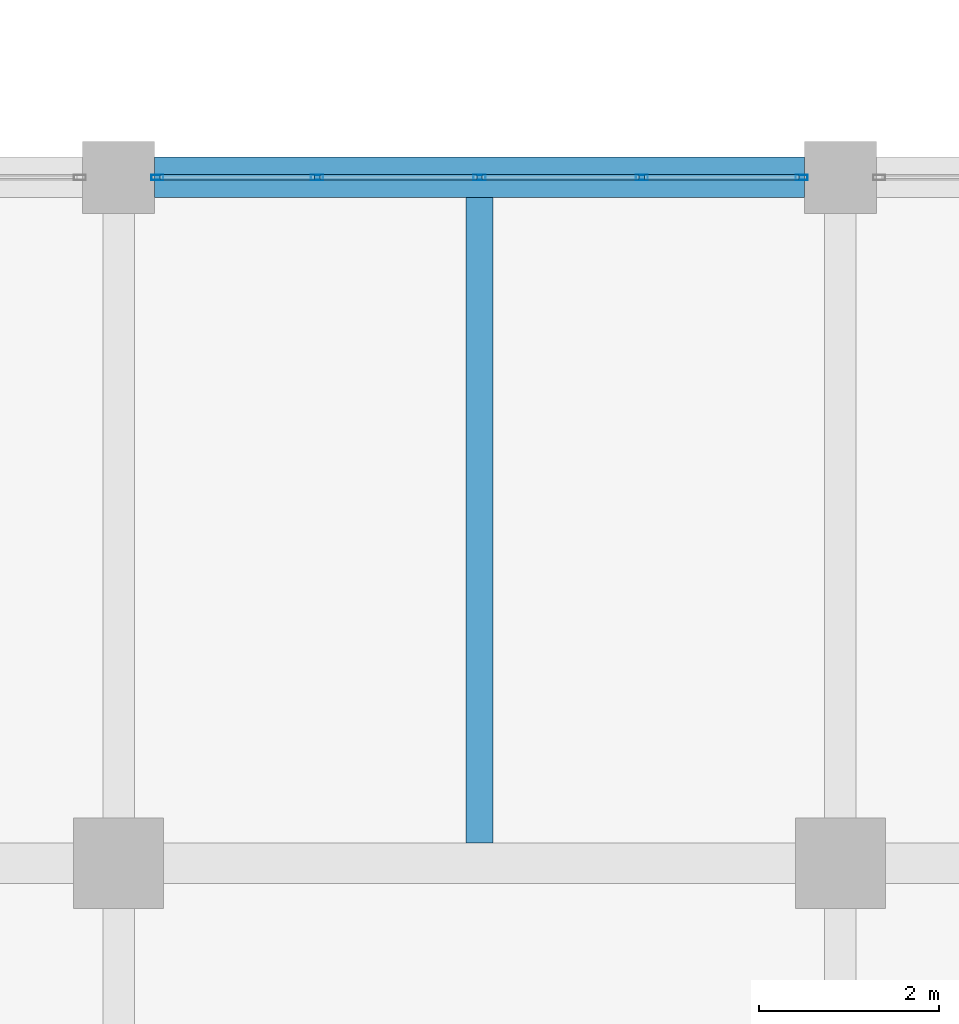
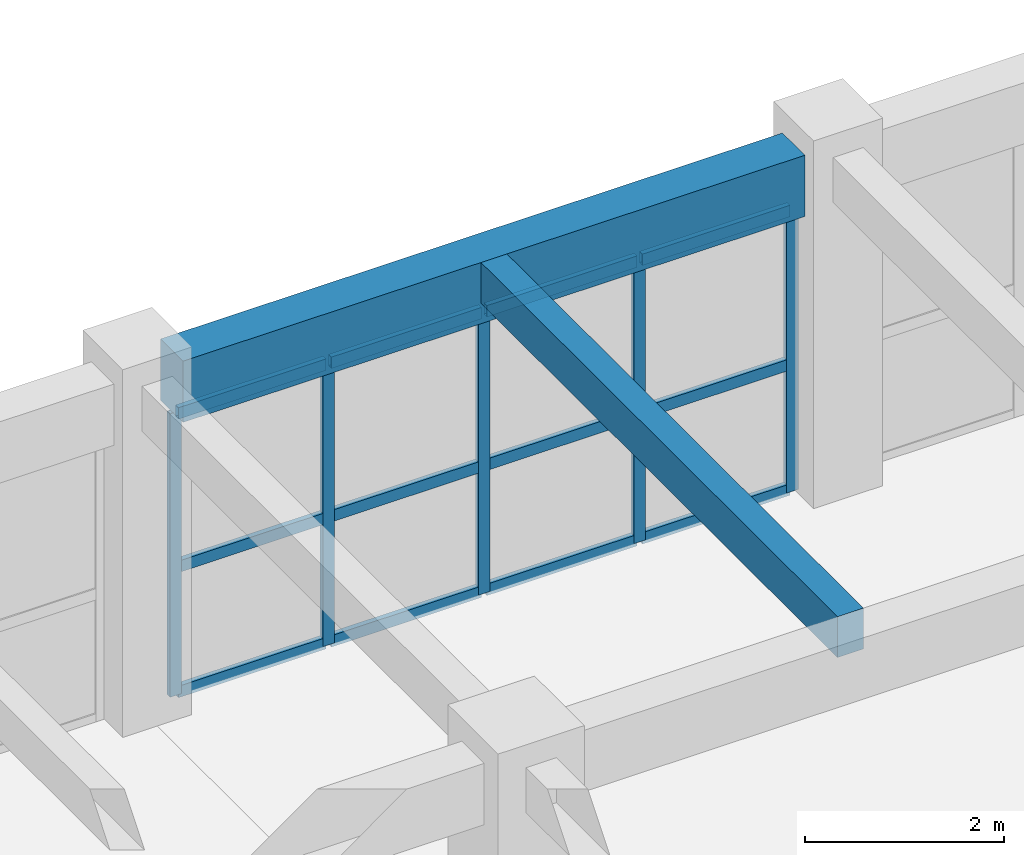
# One storey, part 30 of 79: 17 members, 2 beams, 1 element without a shape of its own.
"""IFC4 building model written with IfcOpenShell, lengths in metres."""

from ifc_helpers import new_model, si_unit, direction, frame, origin, origin_2d, place, context, subcontext, project, spatial, rectangle, hollow_rectangle, extrude, material, material_profile, profile_set, type_object, element, aggregate, save


model = new_model("IFC4")

# Units and contexts
model_context = context("Model", 3, precision=1e-05, world=origin(), true_north=direction((0.0, 1.0)))
body_context = subcontext(model_context, "Body", "Model", "MODEL_VIEW")
ifc_project = project(units=[si_unit("LENGTHUNIT", "METRE"), si_unit("AREAUNIT", "SQUARE_METRE"), si_unit("VOLUMEUNIT", "CUBIC_METRE"), si_unit("PLANEANGLEUNIT", "RADIAN"), si_unit("MASSUNIT", "GRAM", prefix="KILO")], contexts=[model_context])

# Site, building, storey
site_placement = place(None, origin())
site = spatial("IfcSite", under=ifc_project, at=site_placement, CompositionType="ELEMENT")
building_placement = place(site_placement, origin())
building = spatial("IfcBuilding", under=site, at=building_placement, Name="Zantavel Square City Hall", CompositionType="ELEMENT")
storey_placement = place(building_placement, frame((0.0, 0.0, 10.199951171875)))
storey = spatial("IfcBuildingStorey", under=building, at=storey_placement, Name="L03", CompositionType="ELEMENT", Elevation=10.199951171875)

# Curtain wall, members
ifc_material_1 = material(Name="Anodised aluminium 6063-T6", Category="aluminium")
curtain_wall_type = type_object("IfcCurtainWallType", Name="Curtain Wall TRV1 7200x3470", PredefinedType="USERDEFINED", material=ifc_material_1)
curtain_wall_placement = place(storey_placement, origin())
curtain_wall = element("IfcCurtainWall", 1, at=curtain_wall_placement, inside=storey, type_object=curtain_wall_type, Name="L03 Glazed Curtain Wall CW-L03-086", ObjectType="GLAZED CURTAIN WALL", PredefinedType="USERDEFINED")
ifc_material_profile_1 = material_profile(ifc_material_1, hollow_rectangle(XDim=0.06005859375, YDim=0.135009765625, WallThickness=0.00390625, at=origin_2d()), Name="ALU 60x135x4")
ifc_profile_set_1 = profile_set([ifc_material_profile_1], Name="Anodised aluminium 6063-T6")
member_type_1 = type_object("IfcMemberType", Name="CW Mullion ALU 60x135x4", PredefinedType="MULLION", material=ifc_profile_set_1)
member_1_placement = place(storey_placement, frame((80.429931640625, 68.39990234375, 0.0), z_axis=(0.0, 0.0, 1.0), x_axis=(0.0, 1.0, 0.0)))
member_1 = element("IfcMember", 2, at=member_1_placement, type_object=member_type_1, Name="CW-086 mullion 1", PredefinedType="MULLION", context=body_context, shape_type="SweptSolid", body=[
    extrude(hollow_rectangle(XDim=0.06005859375, YDim=0.135009765625, WallThickness=0.00390625, at=origin_2d()), origin(), (0.0, 0.0, 1.0), 3.469970703125),
])
member_2_placement = place(storey_placement, frame((82.199951171875, 68.39990234375, 0.0), z_axis=(0.0, 0.0, 1.0), x_axis=(0.0, 1.0, 0.0)))
member_2 = element("IfcMember", 3, at=member_2_placement, type_object=member_type_1, Name="CW-086 mullion 2", PredefinedType="MULLION", context=body_context, shape_type="SweptSolid", body=[
    extrude(hollow_rectangle(XDim=0.06005859375, YDim=0.135009765625, WallThickness=0.00390625, at=origin_2d()), origin(), (0.0, 0.0, 1.0), 3.469970703125),
])
member_3_placement = place(storey_placement, frame((84.0, 68.39990234375, 0.0), z_axis=(0.0, 0.0, 1.0), x_axis=(0.0, 1.0, 0.0)))
member_3 = element("IfcMember", 4, at=member_3_placement, type_object=member_type_1, Name="CW-086 mullion 3", PredefinedType="MULLION", context=body_context, shape_type="SweptSolid", body=[
    extrude(hollow_rectangle(XDim=0.06005859375, YDim=0.135009765625, WallThickness=0.00390625, at=origin_2d()), origin(), (0.0, 0.0, 1.0), 3.469970703125),
])
member_4_placement = place(storey_placement, frame((85.800048828125, 68.39990234375, 0.0), z_axis=(0.0, 0.0, 1.0), x_axis=(0.0, 1.0, 0.0)))
member_4 = element("IfcMember", 5, at=member_4_placement, type_object=member_type_1, Name="CW-086 mullion 4", PredefinedType="MULLION", context=body_context, shape_type="SweptSolid", body=[
    extrude(hollow_rectangle(XDim=0.06005859375, YDim=0.135009765625, WallThickness=0.00390625, at=origin_2d()), origin(), (0.0, 0.0, 1.0), 3.469970703125),
])
member_5_placement = place(storey_placement, frame((87.570068359375, 68.39990234375, 0.0), z_axis=(0.0, 0.0, 1.0), x_axis=(0.0, 1.0, 0.0)))
member_5 = element("IfcMember", 6, at=member_5_placement, type_object=member_type_1, Name="CW-086 mullion 5", PredefinedType="MULLION", context=body_context, shape_type="SweptSolid", body=[
    extrude(hollow_rectangle(XDim=0.06005859375, YDim=0.135009765625, WallThickness=0.00390625, at=origin_2d()), origin(), (0.0, 0.0, 1.0), 3.469970703125),
])
ifc_material_profile_2 = material_profile(ifc_material_1, hollow_rectangle(XDim=0.06005859375, YDim=0.139892578125, WallThickness=0.00390625, at=origin_2d()), Name="ALU 60x140x4")
ifc_profile_set_2 = profile_set([ifc_material_profile_2], Name="Anodised aluminium 6063-T6")
member_type_2 = type_object("IfcMemberType", Name="CW Transom ALU 60x140x4", PredefinedType="USERDEFINED", material=ifc_profile_set_2)
member_6_placement = place(storey_placement, frame((80.4599609375, 68.39990234375, 0.030029296875), z_axis=(1.0, 0.0, 0.0), x_axis=(0.0, 1.0, 0.0)))
member_6 = element("IfcMember", 7, at=member_6_placement, type_object=member_type_2, Name="CW-086 transom 1.1", ObjectType="TRANSOM", PredefinedType="USERDEFINED", context=body_context, shape_type="SweptSolid", body=[
    extrude(hollow_rectangle(XDim=0.06005859375, YDim=0.139892578125, WallThickness=0.00390625, at=origin_2d()), origin(), (0.0, 0.0, 1.0), 1.7099609375),
])
member_7_placement = place(storey_placement, frame((80.4599609375, 68.39990234375, 1.56201171875), z_axis=(1.0, 0.0, 0.0), x_axis=(0.0, 1.0, 0.0)))
member_7 = element("IfcMember", 8, at=member_7_placement, type_object=member_type_2, Name="CW-086 transom 1.2", ObjectType="TRANSOM", PredefinedType="USERDEFINED", context=body_context, shape_type="SweptSolid", body=[
    extrude(hollow_rectangle(XDim=0.06005859375, YDim=0.139892578125, WallThickness=0.00390625, at=origin_2d()), origin(), (0.0, 0.0, 1.0), 1.7099609375),
])
member_8_placement = place(storey_placement, frame((80.4599609375, 68.39990234375, 3.43994140625), z_axis=(1.0, 0.0, 0.0), x_axis=(0.0, 1.0, 0.0)))
member_8 = element("IfcMember", 9, at=member_8_placement, type_object=member_type_2, Name="CW-086 transom 1.3", ObjectType="TRANSOM", PredefinedType="USERDEFINED", context=body_context, shape_type="SweptSolid", body=[
    extrude(hollow_rectangle(XDim=0.06005859375, YDim=0.139892578125, WallThickness=0.00390625, at=origin_2d()), origin(), (0.0, 0.0, 1.0), 1.7099609375),
])
member_9_placement = place(storey_placement, frame((82.22998046875, 68.39990234375, 0.030029296875), z_axis=(1.0, 0.0, 0.0), x_axis=(0.0, 1.0, 0.0)))
member_9 = element("IfcMember", 10, at=member_9_placement, type_object=member_type_2, Name="CW-086 transom 2.1", ObjectType="TRANSOM", PredefinedType="USERDEFINED", context=body_context, shape_type="SweptSolid", body=[
    extrude(hollow_rectangle(XDim=0.06005859375, YDim=0.139892578125, WallThickness=0.00390625, at=origin_2d()), origin(), (0.0, 0.0, 1.0), 1.739990234375),
])
member_10_placement = place(storey_placement, frame((82.22998046875, 68.39990234375, 1.56201171875), z_axis=(1.0, 0.0, 0.0), x_axis=(0.0, 1.0, 0.0)))
member_10 = element("IfcMember", 11, at=member_10_placement, type_object=member_type_2, Name="CW-086 transom 2.2", ObjectType="TRANSOM", PredefinedType="USERDEFINED", context=body_context, shape_type="SweptSolid", body=[
    extrude(hollow_rectangle(XDim=0.06005859375, YDim=0.139892578125, WallThickness=0.00390625, at=origin_2d()), origin(), (0.0, 0.0, 1.0), 1.739990234375),
])
member_11_placement = place(storey_placement, frame((82.22998046875, 68.39990234375, 3.43994140625), z_axis=(1.0, 0.0, 0.0), x_axis=(0.0, 1.0, 0.0)))
member_11 = element("IfcMember", 12, at=member_11_placement, type_object=member_type_2, Name="CW-086 transom 2.3", ObjectType="TRANSOM", PredefinedType="USERDEFINED", context=body_context, shape_type="SweptSolid", body=[
    extrude(hollow_rectangle(XDim=0.06005859375, YDim=0.139892578125, WallThickness=0.00390625, at=origin_2d()), origin(), (0.0, 0.0, 1.0), 1.739990234375),
])
member_12_placement = place(storey_placement, frame((84.030029296875, 68.39990234375, 0.030029296875), z_axis=(1.0, 0.0, 0.0), x_axis=(0.0, 1.0, 0.0)))
member_12 = element("IfcMember", 13, at=member_12_placement, type_object=member_type_2, Name="CW-086 transom 3.1", ObjectType="TRANSOM", PredefinedType="USERDEFINED", context=body_context, shape_type="SweptSolid", body=[
    extrude(hollow_rectangle(XDim=0.06005859375, YDim=0.139892578125, WallThickness=0.00390625, at=origin_2d()), origin(), (0.0, 0.0, 1.0), 1.739990234375),
])
member_13_placement = place(storey_placement, frame((84.030029296875, 68.39990234375, 1.56201171875), z_axis=(1.0, 0.0, 0.0), x_axis=(0.0, 1.0, 0.0)))
member_13 = element("IfcMember", 14, at=member_13_placement, type_object=member_type_2, Name="CW-086 transom 3.2", ObjectType="TRANSOM", PredefinedType="USERDEFINED", context=body_context, shape_type="SweptSolid", body=[
    extrude(hollow_rectangle(XDim=0.06005859375, YDim=0.139892578125, WallThickness=0.00390625, at=origin_2d()), origin(), (0.0, 0.0, 1.0), 1.739990234375),
])
member_14_placement = place(storey_placement, frame((84.030029296875, 68.39990234375, 3.43994140625), z_axis=(1.0, 0.0, 0.0), x_axis=(0.0, 1.0, 0.0)))
member_14 = element("IfcMember", 15, at=member_14_placement, type_object=member_type_2, Name="CW-086 transom 3.3", ObjectType="TRANSOM", PredefinedType="USERDEFINED", context=body_context, shape_type="SweptSolid", body=[
    extrude(hollow_rectangle(XDim=0.06005859375, YDim=0.139892578125, WallThickness=0.00390625, at=origin_2d()), origin(), (0.0, 0.0, 1.0), 1.739990234375),
])
member_15_placement = place(storey_placement, frame((85.830078125, 68.39990234375, 0.030029296875), z_axis=(1.0, 0.0, 0.0), x_axis=(0.0, 1.0, 0.0)))
member_15 = element("IfcMember", 16, at=member_15_placement, type_object=member_type_2, Name="CW-086 transom 4.1", ObjectType="TRANSOM", PredefinedType="USERDEFINED", context=body_context, shape_type="SweptSolid", body=[
    extrude(hollow_rectangle(XDim=0.06005859375, YDim=0.139892578125, WallThickness=0.00390625, at=origin_2d()), origin(), (0.0, 0.0, 1.0), 1.7099609375),
])
member_16_placement = place(storey_placement, frame((85.830078125, 68.39990234375, 1.56201171875), z_axis=(1.0, 0.0, 0.0), x_axis=(0.0, 1.0, 0.0)))
member_16 = element("IfcMember", 17, at=member_16_placement, type_object=member_type_2, Name="CW-086 transom 4.2", ObjectType="TRANSOM", PredefinedType="USERDEFINED", context=body_context, shape_type="SweptSolid", body=[
    extrude(hollow_rectangle(XDim=0.06005859375, YDim=0.139892578125, WallThickness=0.00390625, at=origin_2d()), origin(), (0.0, 0.0, 1.0), 1.7099609375),
])
member_17_placement = place(storey_placement, frame((85.830078125, 68.39990234375, 3.43994140625), z_axis=(1.0, 0.0, 0.0), x_axis=(0.0, 1.0, 0.0)))
member_17 = element("IfcMember", 18, at=member_17_placement, type_object=member_type_2, Name="CW-086 transom 4.3", ObjectType="TRANSOM", PredefinedType="USERDEFINED", context=body_context, shape_type="SweptSolid", body=[
    extrude(hollow_rectangle(XDim=0.06005859375, YDim=0.139892578125, WallThickness=0.00390625, at=origin_2d()), origin(), (0.0, 0.0, 1.0), 1.7099609375),
])
aggregate(curtain_wall, [member_1, member_2, member_3, member_4, member_5, member_6, member_7, member_8, member_9, member_10, member_11, member_12, member_13, member_14, member_15, member_16, member_17])

# Beams
ifc_material_2 = material(Name="Concrete C35/45", Category="concrete")
ifc_material_profile_3 = material_profile(ifc_material_2, rectangle(XDim=0.300048828125, YDim=0.5, at=origin_2d()), Name="RC 300x500")
ifc_profile_set_3 = profile_set([ifc_material_profile_3], Name="Concrete C35/45")
beam_type_1 = type_object("IfcBeamType", Name="Floor Joist RC 300x500 C35/45", PredefinedType="JOIST", material=ifc_profile_set_3)
beam_1_placement = place(storey_placement, frame((84.0, 61.02490234375, 3.969970703125), z_axis=(0.0, 1.0, 0.0), x_axis=(-1.0, 0.0, 0.0)))
element("IfcBeam", 19, at=beam_1_placement, inside=storey, type_object=beam_type_1, Name="L03 Floor Joist JST-L03-0840-0608", PredefinedType="JOIST", context=body_context, shape_type="SweptSolid", body=[
    extrude(rectangle(XDim=0.300048828125, YDim=0.5, at=origin_2d()), origin(), (0.0, 0.0, 1.0), 7.150146484375),
])
ifc_material_profile_4 = material_profile(ifc_material_2, rectangle(XDim=0.449951171875, YDim=0.75, at=origin_2d()), Name="RC 450x750")
ifc_profile_set_4 = profile_set([ifc_material_profile_4], Name="Concrete C35/45")
beam_type_2 = type_object("IfcBeamType", Name="Primary Girder RC 450x750 C35/45", PredefinedType="BEAM", material=ifc_profile_set_4)
beam_2_placement = place(storey_placement, frame((80.39990234375, 68.39990234375, 3.844970703125), z_axis=(1.0, 0.0, 0.0), x_axis=(0.0, 1.0, 0.0)))
element("IfcBeam", 20, at=beam_2_placement, inside=storey, type_object=beam_type_2, Name="L03 Girder BMX-L03-0800-0684", PredefinedType="BEAM", context=body_context, shape_type="SweptSolid", body=[
    extrude(rectangle(XDim=0.449951171875, YDim=0.75, at=origin_2d()), origin(), (0.0, 0.0, 1.0), 7.2001953125),
])

save(model, "model.ifc")
